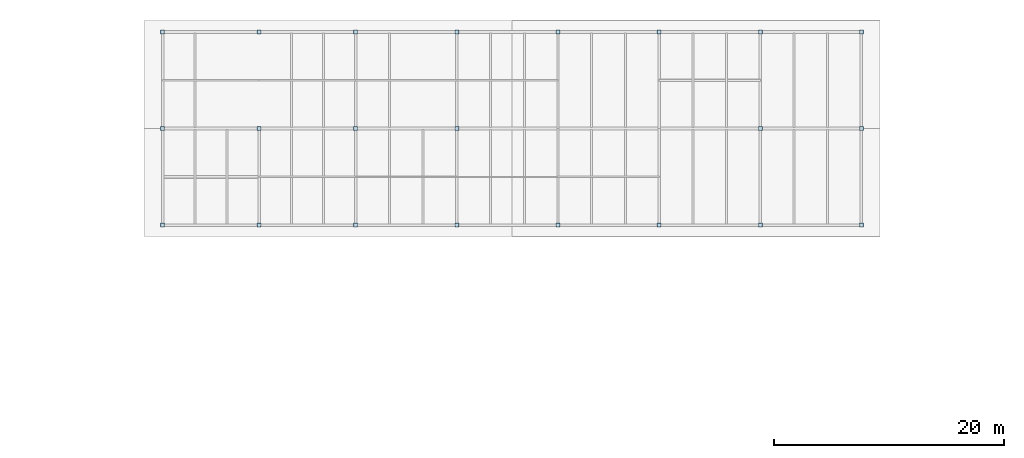
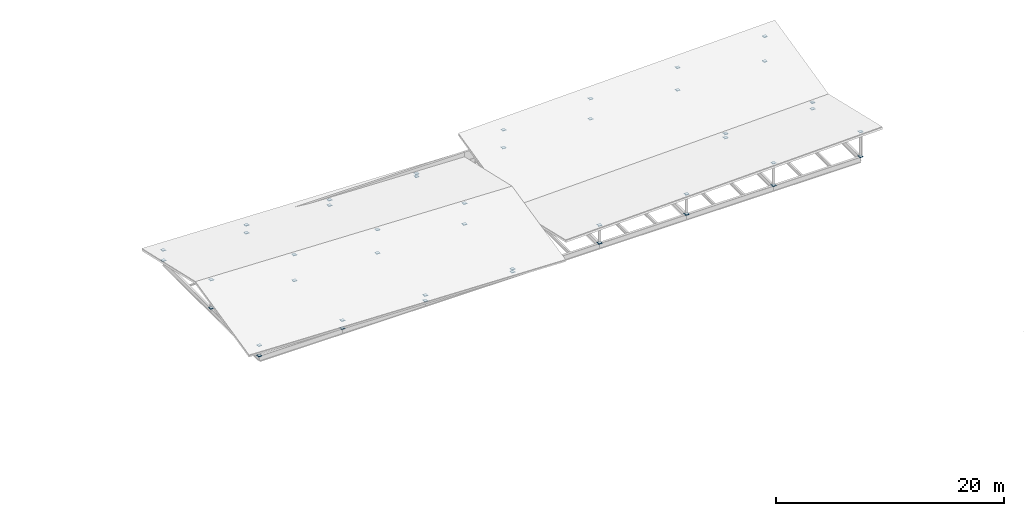
# One storey, part 62 of 65: 44 plates.
"""IFC4 building model written with IfcOpenShell, lengths in metres."""

from ifc_helpers import new_model, si_unit, direction, frame, origin, origin_2d, place, context, subcontext, project, spatial, rectangle, extrude, material, layer, layer_set, type_object, element, save


model = new_model("IFC4")

# Units and contexts
model_context = context("Model", 3, precision=1e-05, world=origin(), true_north=direction((0.0, 1.0)))
body_context = subcontext(model_context, "Body", "Model", "MODEL_VIEW")
ifc_project = project(units=[si_unit("LENGTHUNIT", "METRE"), si_unit("AREAUNIT", "SQUARE_METRE"), si_unit("VOLUMEUNIT", "CUBIC_METRE"), si_unit("PLANEANGLEUNIT", "RADIAN"), si_unit("MASSUNIT", "GRAM", prefix="KILO")], contexts=[model_context])

# Site, building, storey
site_placement = place(None, origin())
site = spatial("IfcSite", under=ifc_project, at=site_placement, CompositionType="ELEMENT")
building_placement = place(site_placement, origin())
building = spatial("IfcBuilding", under=site, at=building_placement, Name="Cinderway Yard Community Centre", CompositionType="ELEMENT")
storey_placement = place(building_placement, frame((0.0, 0.0, 24.300048828125)))
storey = spatial("IfcBuildingStorey", under=building, at=storey_placement, Name="RF", CompositionType="ELEMENT", Elevation=24.300048828125)

# Plates
ifc_material = material(Name="Steel S355", Category="steel")
ifc_layer = layer(ifc_material, 0.02490234375, Name="Steel S355")
ifc_layer_set = layer_set([ifc_layer], Name="Steel S355")
plate_type = type_object("IfcPlateType", Name="STR-PLT-CAP340", PredefinedType="SHEET", material=ifc_layer_set)
for number, where, z_axis, x_axis, name in (
    (1, (58.39990234375, 98.39990234375, -0.012451171875), (0.0, 0.0, 1.0), (1.0, 0.0, 0.0), "V4 roof post base 58_98"),
    (2, (58.39990234375, 98.39990234375, 1.096435546875), (0.0, 0.0, 1.0), (1.0, 0.0, 0.0), "V4 roof post head 58_98"),
    (3, (58.39990234375, 106.800048828125, -0.012451171875), (0.0, 0.0, 1.0), (1.0, 0.0, 0.0), "V4 roof post base 58_106"),
    (4, (58.39990234375, 106.800048828125, 3.017578125), (0.0, 0.0, 1.0), (1.0, 0.0, 0.0), "V4 roof post head 58_106"),
    (5, (58.39990234375, 115.199951171875, -0.012451171875), (0.0, 0.0, 1.0), (1.0, 0.0, 0.0), "V4 roof post base 58_115"),
    (6, (58.39990234375, 115.199951171875, 1.096435546875), (0.0, 0.0, 1.0), (1.0, 0.0, 0.0), "V4 roof post head 58_115"),
    (7, (66.800048828125, 98.39990234375, -0.012451171875), (0.0, 0.0, 1.0), (1.0, 0.0, 0.0), "V4 roof post base 66_98"),
    (8, (66.800048828125, 98.39990234375, 0.83349609375), (0.0, 0.0, 1.0), (1.0, 0.0, 0.0), "V4 roof post head 66_98"),
    (9, (66.800048828125, 106.800048828125, -0.012451171875), (0.0, 0.0, 1.0), (1.0, 0.0, 0.0), "V4 roof post base 66_106"),
    (10, (66.800048828125, 106.800048828125, 2.75439453125), (0.0, 0.0, 1.0), (1.0, 0.0, 0.0), "V4 roof post head 66_106"),
    (11, (66.800048828125, 115.199951171875, -0.012451171875), (0.0, 0.0, 1.0), (1.0, 0.0, 0.0), "V4 roof post base 66_115"),
    (12, (66.800048828125, 115.199951171875, 0.83349609375), (0.0, 0.0, 1.0), (1.0, 0.0, 0.0), "V4 roof post head 66_115"),
    (13, (75.199951171875, 98.39990234375, -0.012451171875), (0.0, 0.0, 1.0), (1.0, 0.0, 0.0), "V4 roof post base 75_98"),
    (14, (75.199951171875, 98.39990234375, 0.571533203125), (0.0, 0.0, 1.0), (1.0, 0.0, 0.0), "V4 roof post head 75_98"),
    (15, (75.199951171875, 106.800048828125, -0.012451171875), (0.0, 0.0, 1.0), (1.0, 0.0, 0.0), "V4 roof post base 75_106"),
    (16, (75.199951171875, 106.800048828125, 2.492431640625), (0.0, 0.0, 1.0), (1.0, 0.0, 0.0), "V4 roof post head 75_106"),
    (17, (75.199951171875, 115.199951171875, -0.012451171875), (0.0, 0.0, 1.0), (1.0, 0.0, 0.0), "V4 roof post base 75_115"),
    (18, (75.199951171875, 115.199951171875, 0.571533203125), (0.0, 0.0, 1.0), (1.0, 0.0, 0.0), "V4 roof post head 75_115"),
    (19, (84.0, 98.39990234375, -0.012451171875), (0.0, 0.0, 1.0), (1.0, 0.0, 0.0), "V4 roof post base 84_98"),
    (20, (84.0, 98.39990234375, 0.29638671875), (0.0, 0.0, 1.0), (1.0, 0.0, 0.0), "V4 roof post head 84_98"),
    (21, (84.0, 106.800048828125, -0.012451171875), (0.0, 0.0, 1.0), (1.0, 0.0, 0.0), "V4 roof post base 84_106"),
    (22, (84.0, 106.800048828125, 2.217529296875), (0.0, 0.0, 1.0), (1.0, 0.0, 0.0), "V4 roof post head 84_106"),
    (23, (84.0, 115.199951171875, -0.012451171875), (0.0, 0.0, 1.0), (1.0, 0.0, 0.0), "V4 roof post base 84_115"),
    (24, (84.0, 115.199951171875, 0.29638671875), (0.0, 0.0, 1.0), (1.0, 0.0, 0.0), "V4 roof post head 84_115"),
    (25, (92.800048828125, 98.39990234375, -0.012451171875), (0.0, 0.0, 1.0), (1.0, 0.0, 0.0), "V4 roof post base 92_98"),
    (26, (92.800048828125, 98.39990234375, 1.8955078125), (0.0, 0.0, 1.0), (1.0, 0.0, 0.0), "V4 roof post head 92_98"),
    (27, (92.800048828125, 115.199951171875, -0.012451171875), (0.0, 0.0, 1.0), (1.0, 0.0, 0.0), "V4 roof post base 92_115"),
    (28, (92.800048828125, 115.199951171875, 1.8955078125), (0.0, 0.0, 1.0), (1.0, 0.0, 0.0), "V4 roof post head 92_115"),
    (29, (101.60009765625, 98.39990234375, -0.012451171875), (0.0, 0.0, 1.0), (1.0, 0.0, 0.0), "V4 roof post base 101_98"),
    (30, (101.60009765625, 98.39990234375, 2.1435546875), (0.0, 0.0, 1.0), (1.0, 0.0, 0.0), "V4 roof post head 101_98"),
    (31, (101.60009765625, 115.199951171875, -0.012451171875), (0.0, 0.0, 1.0), (1.0, 0.0, 0.0), "V4 roof post base 101_115"),
    (32, (101.60009765625, 115.199951171875, 2.1435546875), (0.0, 0.0, 1.0), (1.0, 0.0, 0.0), "V4 roof post head 101_115"),
    (33, (110.39990234375, 98.39990234375, -0.012451171875), (0.0, 0.0, 1.0), (1.0, 0.0, 0.0), "V4 roof post base 110_98"),
    (34, (110.39990234375, 98.39990234375, 2.390380859375), (0.0, 0.0, 1.0), (1.0, 0.0, 0.0), "V4 roof post head 110_98"),
    (35, (110.39990234375, 106.800048828125, -0.012451171875), (0.0, 0.0, 1.0), (1.0, 0.0, 0.0), "V4 roof post base 110_106"),
    (36, (110.39990234375, 106.800048828125, 0.425537109375), (0.0, 0.0, 1.0), (1.0, 0.0, 0.0), "V4 roof post head 110_106"),
    (37, (110.39990234375, 115.199951171875, -0.012451171875), (0.0, 0.0, 1.0), (1.0, 0.0, 0.0), "V4 roof post base 110_115"),
    (38, (110.39990234375, 115.199951171875, 2.390380859375), (0.0, 0.0, 1.0), (1.0, 0.0, 0.0), "V4 roof post head 110_115"),
    (39, (119.199951171875, 98.39990234375, -0.012451171875), (0.0, 0.0, 1.0), (1.0, 0.0, 0.0), "V4 roof post base 119_98"),
    (40, (119.199951171875, 98.39990234375, 2.638427734375), (0.0, 0.0, 1.0), (1.0, 0.0, 0.0), "V4 roof post head 119_98"),
    (41, (119.199951171875, 106.800048828125, -0.012451171875), (0.0, 0.0, 1.0), (1.0, 0.0, 0.0), "V4 roof post base 119_106"),
    (42, (119.199951171875, 106.800048828125, 0.672607421875), (0.0, 0.0, 1.0), (1.0, 0.0, 0.0), "V4 roof post head 119_106"),
    (43, (119.199951171875, 115.199951171875, -0.012451171875), (0.0, 0.0, 1.0), (1.0, 0.0, 0.0), "V4 roof post base 119_115"),
    (44, (119.199951171875, 115.199951171875, 2.638427734375), (0.0, 0.0, 1.0), (1.0, 0.0, 0.0), "V4 roof post head 119_115"),
):
    element("IfcPlate", number, at=place(storey_placement, frame(where, z_axis=z_axis, x_axis=x_axis)), inside=storey, type_object=plate_type, Name=name, PredefinedType="SHEET", context=body_context, shape_type="SweptSolid", body=[
        extrude(rectangle(XDim=0.35009765625, YDim=0.35009765625, at=origin_2d()), origin(), (0.0, 0.0, 1.0), 0.02490234375),
    ])

save(model, "model.ifc")
